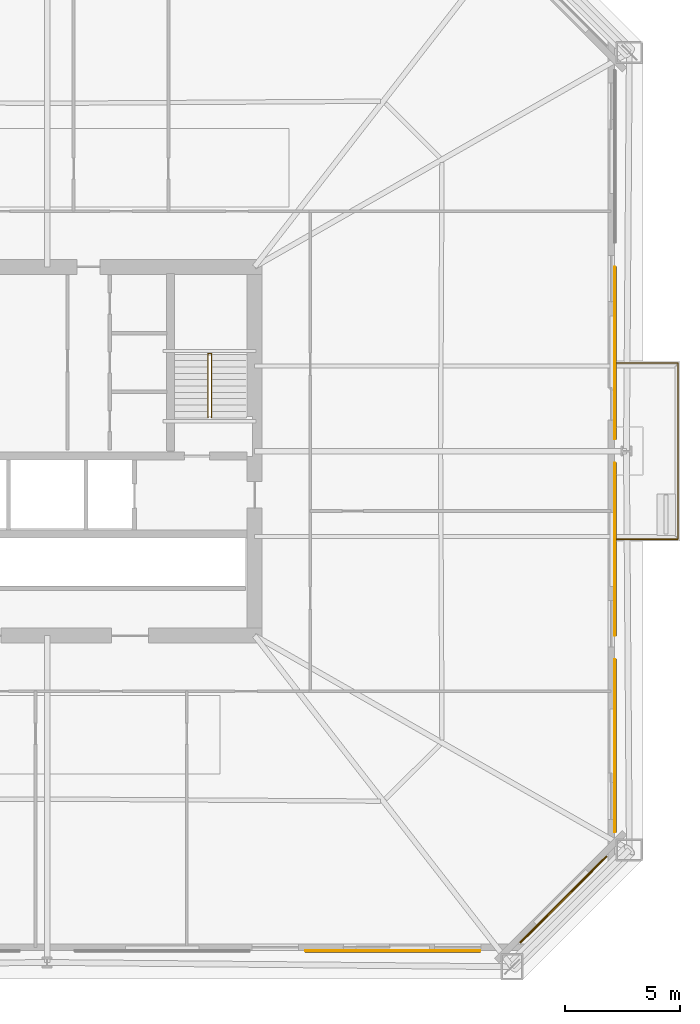
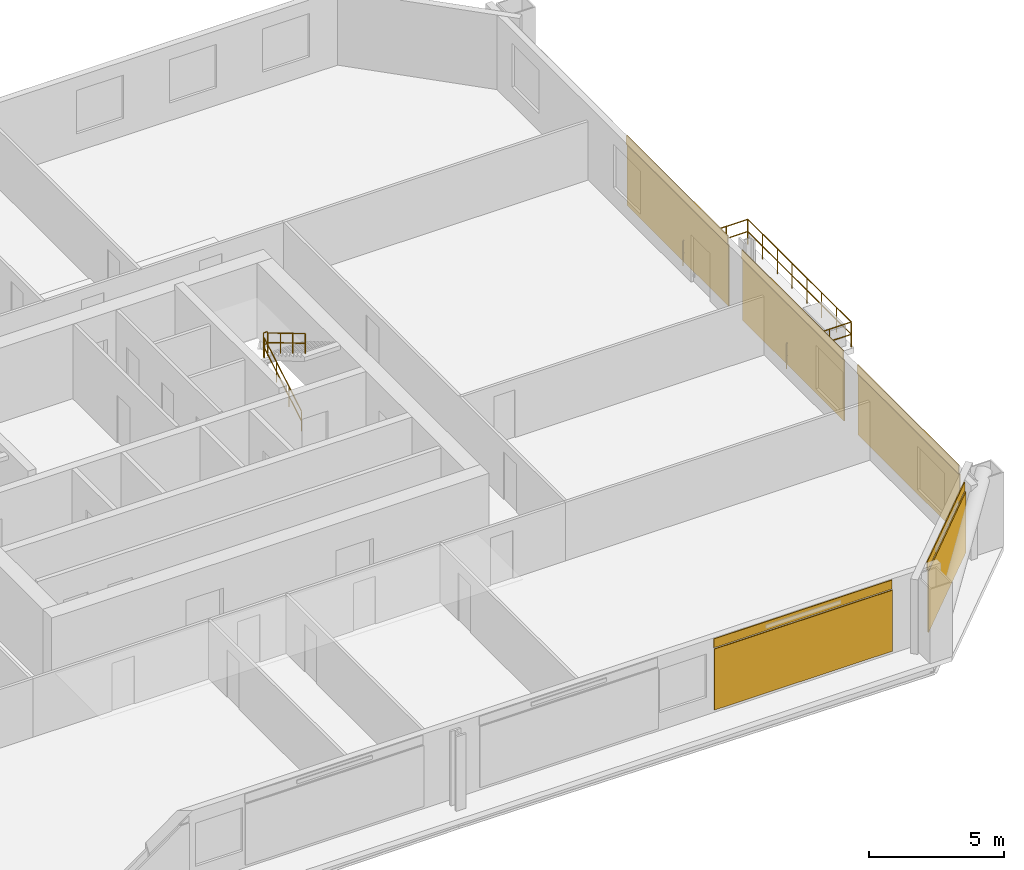
# One storey, part 10 of 11: 5 coverings, 5 shading devices, 4 railings.
"""IFC4 building model written with IfcOpenShell, lengths in metres."""

from ifc_helpers import new_model, si_unit, direction, frame, origin, origin_2d, place, context, subcontext, project, spatial, rectangle, circle, extrude, material, layer, layer_set, type_object, element, save


model = new_model("IFC4")

# Units and contexts
model_context = context("Model", 3, precision=1e-05, world=origin(), true_north=direction((0.0, 1.0)))
body_context = subcontext(model_context, "Body", "Model", "MODEL_VIEW")
ifc_project = project(units=[si_unit("LENGTHUNIT", "METRE"), si_unit("AREAUNIT", "SQUARE_METRE"), si_unit("VOLUMEUNIT", "CUBIC_METRE"), si_unit("PLANEANGLEUNIT", "RADIAN"), si_unit("MASSUNIT", "GRAM", prefix="KILO")], contexts=[model_context])

# Site, building, storey
site_placement = place(None, origin())
site = spatial("IfcSite", under=ifc_project, at=site_placement, CompositionType="ELEMENT")
building_placement = place(site_placement, origin())
building = spatial("IfcBuilding", under=site, at=building_placement, Name="Caelvoria Tower", CompositionType="ELEMENT")
storey_placement = place(building_placement, frame((0.0, 0.0, 64.0)))
storey = spatial("IfcBuildingStorey", under=building, at=storey_placement, Name="L16", CompositionType="ELEMENT", Elevation=64.0)

# Railing
ifc_material_1 = material(Name="Bronze Anodised Aluminium and Stainless Steel", Category="steel")
railing_type_1 = type_object("IfcRailingType", Name="Exterior Terrace and Balcony Guardrail 1150", PredefinedType="GUARDRAIL", material=ifc_material_1)
railing_1_placement = place(storey_placement, frame((70.610107421875, 28.179931640625, 0.0)))
element("IfcRailing", 1, at=railing_1_placement, inside=storey, type_object=railing_type_1, Name="Tree Balcony Guardrail TB-L16-E", PredefinedType="GUARDRAIL", context=body_context, shape_type="SweptSolid", body=[
    extrude(circle(Radius=0.02392578125, at=origin_2d()), frame((0.0, 0.0, 1.1259765625), z_axis=(1.0, 0.0, 0.0), x_axis=(0.0, 1.0, 0.0)), (0.0, 0.0, 1.0), 2.760009765625),
    extrude(circle(Radius=0.02392578125, at=origin_2d()), frame((0.0, 0.0, 0.574951171875), z_axis=(1.0, 0.0, 0.0), x_axis=(0.0, 1.0, 0.0)), (0.0, 0.0, 1.0), 2.760009765625),
    extrude(circle(Radius=0.02392578125, at=origin_2d()), frame((2.760009765625, 0.0, 1.1259765625), z_axis=(0.0, 1.0, 0.0), x_axis=(-1.0, 0.0, 0.0)), (0.0, 0.0, 1.0), 7.64013671875),
    extrude(circle(Radius=0.02392578125, at=origin_2d()), frame((2.760009765625, 0.0, 0.574951171875), z_axis=(0.0, 1.0, 0.0), x_axis=(-1.0, 0.0, 0.0)), (0.0, 0.0, 1.0), 7.64013671875),
    extrude(circle(Radius=0.02392578125, at=origin_2d()), frame((2.760009765625, 7.64013671875, 1.1259765625), z_axis=(-1.0, 0.0, 0.0), x_axis=(0.0, -1.0, 0.0)), (0.0, 0.0, 1.0), 2.760009765625),
    extrude(circle(Radius=0.02392578125, at=origin_2d()), frame((2.760009765625, 7.64013671875, 0.574951171875), z_axis=(-1.0, 0.0, 0.0), x_axis=(0.0, -1.0, 0.0)), (0.0, 0.0, 1.0), 2.760009765625),
    extrude(circle(Radius=0.02099609375, at=origin_2d()), origin(), (0.0, 0.0, 1.0), 1.101806640625),
    extrude(circle(Radius=0.02099609375, at=origin_2d()), frame((0.919921875, 0.0, 0.0)), (0.0, 0.0, 1.0), 1.101806640625),
    extrude(circle(Radius=0.02099609375, at=origin_2d()), frame((1.840087890625, 0.0, 0.0)), (0.0, 0.0, 1.0), 1.101806640625),
    extrude(circle(Radius=0.02099609375, at=origin_2d()), frame((2.760009765625, 0.0, 0.0)), (0.0, 0.0, 1.0), 1.101806640625),
    extrude(circle(Radius=0.02099609375, at=origin_2d()), frame((2.760009765625, 1.091552734375, 0.0)), (0.0, 0.0, 1.0), 1.101806640625),
    extrude(circle(Radius=0.02099609375, at=origin_2d()), frame((2.760009765625, 2.182861328125, 0.0)), (0.0, 0.0, 1.0), 1.101806640625),
    extrude(circle(Radius=0.02099609375, at=origin_2d()), frame((2.760009765625, 3.2744140625, 0.0)), (0.0, 0.0, 1.0), 1.101806640625),
    extrude(circle(Radius=0.02099609375, at=origin_2d()), frame((2.760009765625, 4.36572265625, 0.0)), (0.0, 0.0, 1.0), 1.101806640625),
    extrude(circle(Radius=0.02099609375, at=origin_2d()), frame((2.760009765625, 5.457275390625, 0.0)), (0.0, 0.0, 1.0), 1.101806640625),
    extrude(circle(Radius=0.02099609375, at=origin_2d()), frame((2.760009765625, 6.548583984375, 0.0)), (0.0, 0.0, 1.0), 1.101806640625),
    extrude(circle(Radius=0.02099609375, at=origin_2d()), frame((2.760009765625, 7.64013671875, 0.0)), (0.0, 0.0, 1.0), 1.101806640625),
    extrude(circle(Radius=0.02099609375, at=origin_2d()), frame((1.840087890625, 7.64013671875, 0.0)), (0.0, 0.0, 1.0), 1.101806640625),
    extrude(circle(Radius=0.02099609375, at=origin_2d()), frame((0.919921875, 7.64013671875, 0.0)), (0.0, 0.0, 1.0), 1.101806640625),
    extrude(circle(Radius=0.02099609375, at=origin_2d()), frame((0.0, 7.64013671875, 0.0)), (0.0, 0.0, 1.0), 1.101806640625),
])

# Coverings
ifc_material_2 = material(Name="Perforated Architectural Bronze Cladding Screen", Category="bronze")
ifc_layer_1 = layer(ifc_material_2, 0.0400390625, Name="Perforated Architectural Bronze Cladding Screen")
ifc_layer_set_1 = layer_set([ifc_layer_1], Name="Perforated Bronze Louvre Cladding Band 40 - Perforated Architectural Bronze Cladding Screen")
covering_type = type_object("IfcCoveringType", Name="Perforated Bronze Louvre Cladding Band 40", PredefinedType="CLADDING", material=ifc_layer_set_1)
covering_1_placement = place(storey_placement, frame((60.992431640625, 10.327880859375, 2.93994140625), z_axis=(0.0, 0.0, 1.0), x_axis=(1.0, 0.0, 0.0)))
element("IfcCovering", 2, at=covering_1_placement, inside=storey, type_object=covering_type, Name="Perforated Bronze Screen Band L16-E0-03", PredefinedType="CLADDING", context=body_context, shape_type="SweptSolid", body=[
    extrude(rectangle(XDim=7.60009765625, YDim=0.0400390625, at=origin_2d()), origin(), (0.0, 0.0, 1.0), 0.39990234375),
])
covering_2_placement = place(storey_placement, frame((68.381591796875, 12.568359375, 2.93994140625), z_axis=(0.0, 0.0, 1.0), x_axis=(0.707106781187, 0.707106781187, 0.0)))
element("IfcCovering", 3, at=covering_2_placement, inside=storey, type_object=covering_type, Name="Perforated Bronze Screen Band L16-E1-00", PredefinedType="CLADDING", context=body_context, shape_type="SweptSolid", body=[
    extrude(rectangle(XDim=5.309814453125, YDim=0.0400390625, at=origin_2d()), origin(), (0.0, 0.0, 1.0), 0.39990234375),
])
for number, where, z_axis, x_axis, name in (
    (4, (70.6220703125, 19.219970703125, 2.93994140625), (0.0, 0.0, 1.0), (0.0, 1.0, 0.0), "Perforated Bronze Screen Band L16-E2-00"),
    (5, (70.6220703125, 27.739990234375, 2.93994140625), (0.0, 0.0, 1.0), (0.0, 1.0, 0.0), "Perforated Bronze Screen Band L16-E2-01"),
    (6, (70.6220703125, 36.260009765625, 2.93994140625), (0.0, 0.0, 1.0), (0.0, 1.0, 0.0), "Perforated Bronze Screen Band L16-E2-02"),
):
    element("IfcCovering", number, at=place(storey_placement, frame(where, z_axis=z_axis, x_axis=x_axis)), inside=storey, type_object=covering_type, Name=name, PredefinedType="CLADDING", context=body_context, shape_type="SweptSolid", body=[
        extrude(rectangle(XDim=7.49755859375, YDim=0.0400390625, at=origin_2d()), origin(), (0.0, 0.0, 1.0), 0.39990234375),
    ])

# Shading devices
ifc_material_3 = material(Name="Perforated Architectural Bronze Alloy Panel", Category="bronze")
ifc_layer_2 = layer(ifc_material_3, 0.044921875, Name="Perforated Architectural Bronze Alloy Panel")
ifc_layer_set_2 = layer_set([ifc_layer_2], Name="Perforated Bronze Solar Screen Panel SCREEN - Perforated Architectural Bronze Alloy Panel")
shading_device_type = type_object("IfcShadingDeviceType", Name="Perforated Bronze Solar Screen Panel SCREEN", PredefinedType="USERDEFINED", material=ifc_layer_set_2)
shading_device_1_placement = place(storey_placement, frame((60.992431640625, 10.284912109375, 0.159912109375), z_axis=(0.0, 0.0, 1.0), x_axis=(1.0, 0.0, 0.0)))
element("IfcShadingDevice", 7, at=shading_device_1_placement, inside=storey, type_object=shading_device_type, Name="Perforated Bronze Solar Screen L16-E0-03", ObjectType="SCREEN", PredefinedType="USERDEFINED", context=body_context, shape_type="SweptSolid", body=[
    extrude(rectangle(XDim=7.60009765625, YDim=0.044921875, at=origin_2d()), origin(), (0.0, 0.0, 1.0), 2.75),
])
shading_device_2_placement = place(storey_placement, frame((68.412109375, 12.537841796875, 0.159912109375), z_axis=(0.0, 0.0, 1.0), x_axis=(0.707106781187, 0.707106781187, 0.0)))
element("IfcShadingDevice", 8, at=shading_device_2_placement, inside=storey, type_object=shading_device_type, Name="Perforated Bronze Solar Screen L16-E1-00", ObjectType="SCREEN", PredefinedType="USERDEFINED", context=body_context, shape_type="SweptSolid", body=[
    extrude(rectangle(XDim=5.309814453125, YDim=0.044921875, at=origin_2d()), origin(), (0.0, 0.0, 1.0), 2.75),
])
for number, where, z_axis, x_axis, name in (
    (9, (70.6650390625, 19.219970703125, 0.159912109375), (0.0, 0.0, 1.0), (0.0, 1.0, 0.0), "Perforated Bronze Solar Screen L16-E2-00"),
    (10, (70.6650390625, 27.739990234375, 0.159912109375), (0.0, 0.0, 1.0), (0.0, 1.0, 0.0), "Perforated Bronze Solar Screen L16-E2-01"),
    (11, (70.6650390625, 36.260009765625, 0.159912109375), (0.0, 0.0, 1.0), (0.0, 1.0, 0.0), "Perforated Bronze Solar Screen L16-E2-02"),
):
    element("IfcShadingDevice", number, at=place(storey_placement, frame(where, z_axis=z_axis, x_axis=x_axis)), inside=storey, type_object=shading_device_type, Name=name, ObjectType="SCREEN", PredefinedType="USERDEFINED", context=body_context, shape_type="SweptSolid", body=[
        extrude(rectangle(XDim=7.49755859375, YDim=0.044921875, at=origin_2d()), origin(), (0.0, 0.0, 1.0), 2.75),
    ])

# Railings
ifc_material_4 = material(Name="Brushed Stainless Steel Tube", Category="steel")
railing_type_2 = type_object("IfcRailingType", Name="Stair Tubular Stainless Handrail 920", PredefinedType="HANDRAIL", material=ifc_material_4)
railing_2_placement = place(storey_placement, frame((52.969970703125, 33.449951171875, 0.16357421875)))
element("IfcRailing", 12, at=railing_2_placement, inside=storey, type_object=railing_type_2, Name="ST-02 Flight 1 Handrail L16", PredefinedType="HANDRAIL", context=body_context, shape_type="SweptSolid", body=[
    extrude(circle(Radius=0.02392578125, at=origin_2d()), frame((0.0, 0.0, 0.89599609375), z_axis=(0.0, 0.859351957796, 0.511384603436), x_axis=(-1.0, 0.0, 0.0)), (0.0, 0.0, 1.0), 3.2001953125),
    extrude(circle(Radius=0.02392578125, at=origin_2d()), frame((0.0, 0.0, 0.4599609375), z_axis=(0.0, 0.859351957796, 0.511384603436), x_axis=(-1.0, 0.0, 0.0)), (0.0, 0.0, 1.0), 3.2001953125),
    extrude(circle(Radius=0.02099609375, at=origin_2d()), origin(), (0.0, 0.0, 1.0), 0.871826171875),
    extrude(circle(Radius=0.02099609375, at=origin_2d()), frame((0.0, 0.916748046875, 0.54541015625)), (0.0, 0.0, 1.0), 0.871826171875),
    extrude(circle(Radius=0.02099609375, at=origin_2d()), frame((0.0, 1.833251953125, 1.091064453125)), (0.0, 0.0, 1.0), 0.871826171875),
    extrude(circle(Radius=0.02099609375, at=origin_2d()), frame((0.0, 2.75, 1.636474609375)), (0.0, 0.0, 1.0), 0.871826171875),
])
railing_3_placement = place(storey_placement, frame((53.1298828125, 36.199951171875, 1.963623046875)))
element("IfcRailing", 13, at=railing_3_placement, inside=storey, type_object=railing_type_2, Name="ST-02 Flight 2 Handrail L16", PredefinedType="HANDRAIL", context=body_context, shape_type="SweptSolid", body=[
    extrude(circle(Radius=0.02392578125, at=origin_2d()), frame((0.0, 0.0, 0.89599609375), z_axis=(0.0, -0.859351957796, 0.511384603436), x_axis=(1.0, 0.0, 0.0)), (0.0, 0.0, 1.0), 3.2001953125),
    extrude(circle(Radius=0.02392578125, at=origin_2d()), frame((0.0, 0.0, 0.4599609375), z_axis=(0.0, -0.859351957796, 0.511384603436), x_axis=(1.0, 0.0, 0.0)), (0.0, 0.0, 1.0), 3.2001953125),
    extrude(circle(Radius=0.02099609375, at=origin_2d()), origin(), (0.0, 0.0, 1.0), 0.871826171875),
    extrude(circle(Radius=0.02099609375, at=origin_2d()), frame((0.0, -0.916748046875, 0.54541015625)), (0.0, 0.0, 1.0), 0.871826171875),
    extrude(circle(Radius=0.02099609375, at=origin_2d()), frame((0.0, -1.833251953125, 1.091064453125)), (0.0, 0.0, 1.0), 0.871826171875),
    extrude(circle(Radius=0.02099609375, at=origin_2d()), frame((0.0, -2.75, 1.636474609375)), (0.0, 0.0, 1.0), 0.871826171875),
])
ifc_material_5 = material(Name="Brushed Stainless Steel Guardrail", Category="steel")
railing_type_3 = type_object("IfcRailingType", Name="Stair Well and Ramp Guardrail 1120", PredefinedType="GUARDRAIL", material=ifc_material_5)
railing_4_placement = place(storey_placement, frame((52.969970703125, 36.239990234375, 1.800048828125)))
element("IfcRailing", 14, at=railing_4_placement, inside=storey, type_object=railing_type_3, Name="ST-02 Half-Landing Well Guard L16", PredefinedType="GUARDRAIL", context=body_context, shape_type="SweptSolid", body=[
    extrude(circle(Radius=0.02392578125, at=origin_2d()), frame((0.0, 0.0, 1.09619140625), z_axis=(1.0, 0.0, 0.0), x_axis=(0.0, 1.0, 0.0)), (0.0, 0.0, 1.0), 0.159912109375),
    extrude(circle(Radius=0.02392578125, at=origin_2d()), frame((0.0, 0.0, 0.56005859375), z_axis=(1.0, 0.0, 0.0), x_axis=(0.0, 1.0, 0.0)), (0.0, 0.0, 1.0), 0.159912109375),
    extrude(circle(Radius=0.02099609375, at=origin_2d()), origin(), (0.0, 0.0, 1.0), 1.072021484375),
    extrude(circle(Radius=0.02099609375, at=origin_2d()), frame((0.159912109375, 0.0, 0.0)), (0.0, 0.0, 1.0), 1.072021484375),
])

save(model, "model.ifc")
